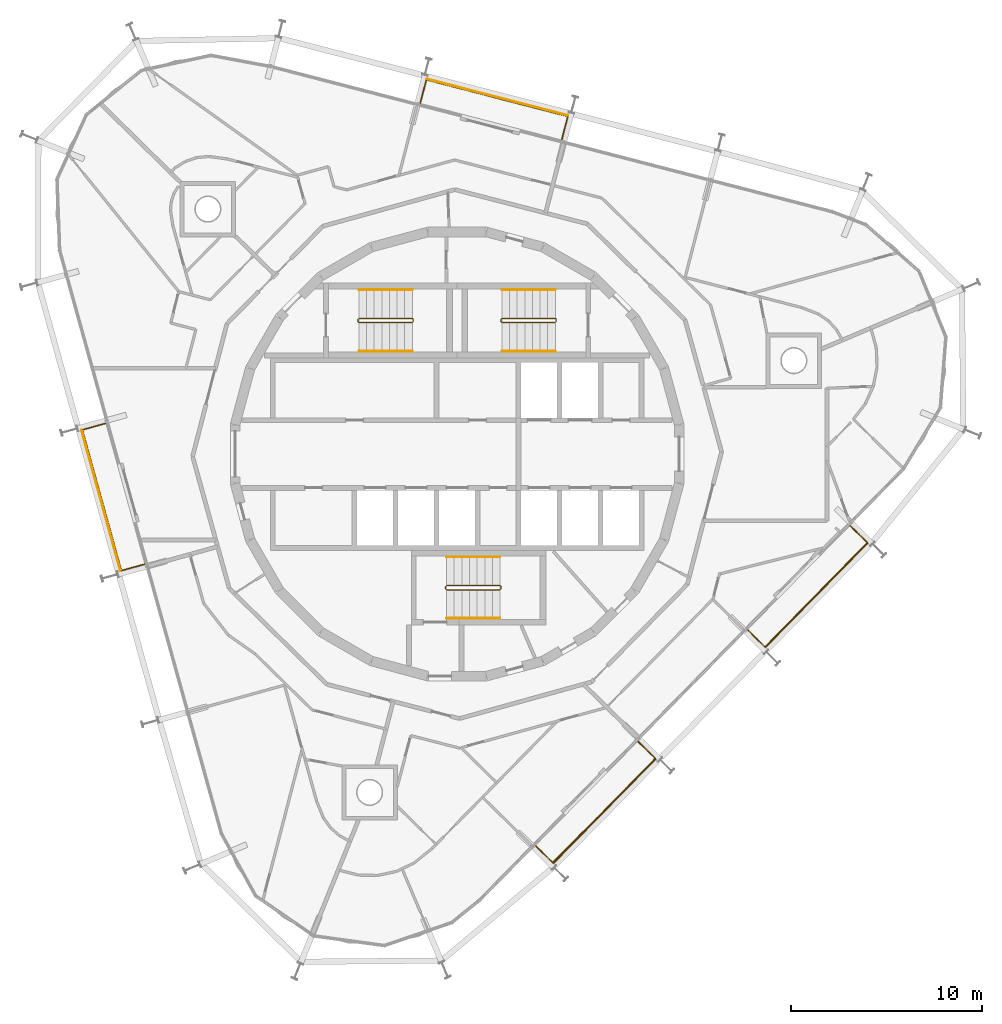
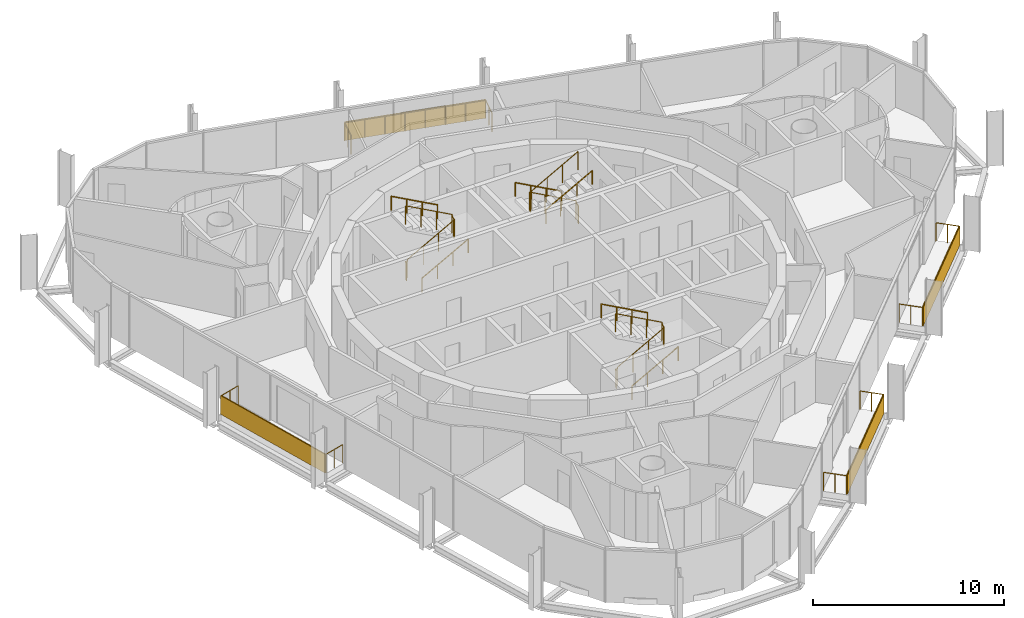
# One storey, part 15 of 15: 13 railings, 4 shading devices.
"""IFC4 building model written with IfcOpenShell, lengths in metres."""

from ifc_helpers import new_model, si_unit, direction, frame, origin, origin_2d, place, context, subcontext, project, spatial, rectangle, circle, extrude, material, layer, layer_set, type_object, element, save


model = new_model("IFC4")

# Units and contexts
model_context = context("Model", 3, precision=1e-05, world=origin(), true_north=direction((0.0, 1.0)))
body_context = subcontext(model_context, "Body", "Model", "MODEL_VIEW")
ifc_project = project(units=[si_unit("LENGTHUNIT", "METRE"), si_unit("AREAUNIT", "SQUARE_METRE"), si_unit("VOLUMEUNIT", "CUBIC_METRE"), si_unit("PLANEANGLEUNIT", "RADIAN"), si_unit("MASSUNIT", "GRAM", prefix="KILO")], contexts=[model_context])

# Site, building, storey
site_placement = place(None, origin())
site = spatial("IfcSite", under=ifc_project, at=site_placement, CompositionType="ELEMENT")
building_placement = place(site_placement, origin())
building = spatial("IfcBuilding", under=site, at=building_placement, Name="Spindle Arch Residences", CompositionType="ELEMENT")
storey_placement = place(building_placement, frame((0.0, 0.0, 305.199951171875)))
storey = spatial("IfcBuildingStorey", under=building, at=storey_placement, Name="L78", CompositionType="ELEMENT", Elevation=305.199951171875)

# Railings
ifc_material_1 = material(Name="Bronze anodised aluminium guard with glass infill", Category="aluminium")
railing_type_1 = type_object("IfcRailingType", Name="Balcony guard 1200", PredefinedType="GUARDRAIL", material=ifc_material_1)
railing_1_placement = place(storey_placement, frame((15.253662109375, -9.23779296875, 0.0)))
element("IfcRailing", 1, at=railing_1_placement, inside=storey, type_object=railing_type_1, Name="Guard L78 bay 1", PredefinedType="GUARDRAIL", context=body_context, shape_type="SweptSolid", body=[
    extrude(circle(Radius=0.02392578125, at=origin_2d()), frame((0.0, 0.0, 1.17578125), z_axis=(0.713231937859, -0.700928101034, 0.0), x_axis=(0.700928101034, 0.713231937859, 0.0)), (0.0, 0.0, 1.0), 1.25),
    extrude(circle(Radius=0.02392578125, at=origin_2d()), frame((0.8916015625, -0.876220703125, 1.17578125), z_axis=(0.700916720912, 0.713243121485, 0.0), x_axis=(-0.713243121485, 0.700916720912, 0.0)), (0.0, 0.0, 1.0), 7.6650390625),
    extrude(circle(Radius=0.02392578125, at=origin_2d()), frame((6.26416015625, 4.5908203125, 1.17578125), z_axis=(-0.713231937859, 0.700928101034, 0.0), x_axis=(-0.700928101034, -0.713231937859, 0.0)), (0.0, 0.0, 1.0), 1.25),
    extrude(circle(Radius=0.02099609375, at=origin_2d()), origin(), (0.0, 0.0, 1.0), 1.15185546875),
    extrude(circle(Radius=0.02099609375, at=origin_2d()), frame((0.44580078125, -0.43798828125, 0.0)), (0.0, 0.0, 1.0), 1.15185546875),
    extrude(circle(Radius=0.02099609375, at=origin_2d()), frame((0.8916015625, -0.876220703125, 0.0)), (0.0, 0.0, 1.0), 1.15185546875),
    extrude(circle(Radius=0.02099609375, at=origin_2d()), frame((1.6591796875, -0.09521484375, 0.0)), (0.0, 0.0, 1.0), 1.15185546875),
    extrude(circle(Radius=0.02099609375, at=origin_2d()), frame((2.426513671875, 0.685791015625, 0.0)), (0.0, 0.0, 1.0), 1.15185546875),
    extrude(circle(Radius=0.02099609375, at=origin_2d()), frame((3.194091796875, 1.466796875, 0.0)), (0.0, 0.0, 1.0), 1.15185546875),
    extrude(circle(Radius=0.02099609375, at=origin_2d()), frame((3.961669921875, 2.247802734375, 0.0)), (0.0, 0.0, 1.0), 1.15185546875),
    extrude(circle(Radius=0.02099609375, at=origin_2d()), frame((4.729248046875, 3.02880859375, 0.0)), (0.0, 0.0, 1.0), 1.15185546875),
    extrude(circle(Radius=0.02099609375, at=origin_2d()), frame((5.49658203125, 3.809814453125, 0.0)), (0.0, 0.0, 1.0), 1.15185546875),
    extrude(circle(Radius=0.02099609375, at=origin_2d()), frame((6.26416015625, 4.5908203125, 0.0)), (0.0, 0.0, 1.0), 1.15185546875),
    extrude(circle(Radius=0.02099609375, at=origin_2d()), frame((5.818359375, 5.02880859375, 0.0)), (0.0, 0.0, 1.0), 1.15185546875),
    extrude(circle(Radius=0.02099609375, at=origin_2d()), frame((5.37255859375, 5.467041015625, 0.0)), (0.0, 0.0, 1.0), 1.15185546875),
])
railing_2_placement = place(storey_placement, frame((5.494873046875, 16.50439453125, 0.0)))
element("IfcRailing", 2, at=railing_2_placement, inside=storey, type_object=railing_type_1, Name="Guard L78 bay 7", PredefinedType="GUARDRAIL", context=body_context, shape_type="SweptSolid", body=[
    extrude(circle(Radius=0.02392578125, at=origin_2d()), frame((0.0, 0.0, 1.17578125), z_axis=(0.250385978254, 0.968146095325, 0.0), x_axis=(-0.968146095325, 0.250385978254, 0.0)), (0.0, 0.0, 1.0), 1.25),
    extrude(circle(Radius=0.02392578125, at=origin_2d()), frame((0.31298828125, 1.210205078125, 1.17578125), z_axis=(-0.968147177851, 0.250381792508, 0.0), x_axis=(-0.250381792508, -0.968147177851, 0.0)), (0.0, 0.0, 1.0), 7.6650390625),
    extrude(circle(Radius=0.02392578125, at=origin_2d()), frame((-7.10791015625, 3.12939453125, 1.17578125), z_axis=(-0.250385978254, -0.968146095325, 0.0), x_axis=(0.968146095325, -0.250385978254, 0.0)), (0.0, 0.0, 1.0), 1.25),
    extrude(circle(Radius=0.02099609375, at=origin_2d()), origin(), (0.0, 0.0, 1.0), 1.15185546875),
    extrude(circle(Radius=0.02099609375, at=origin_2d()), frame((0.156494140625, 0.60498046875, 0.0)), (0.0, 0.0, 1.0), 1.15185546875),
    extrude(circle(Radius=0.02099609375, at=origin_2d()), frame((0.31298828125, 1.210205078125, 0.0)), (0.0, 0.0, 1.0), 1.15185546875),
    extrude(circle(Radius=0.02099609375, at=origin_2d()), frame((-0.7470703125, 1.484375, 0.0)), (0.0, 0.0, 1.0), 1.15185546875),
    extrude(circle(Radius=0.02099609375, at=origin_2d()), frame((-1.807373046875, 1.758544921875, 0.0)), (0.0, 0.0, 1.0), 1.15185546875),
    extrude(circle(Radius=0.02099609375, at=origin_2d()), frame((-2.867431640625, 2.03271484375, 0.0)), (0.0, 0.0, 1.0), 1.15185546875),
    extrude(circle(Radius=0.02099609375, at=origin_2d()), frame((-3.927490234375, 2.306884765625, 0.0)), (0.0, 0.0, 1.0), 1.15185546875),
    extrude(circle(Radius=0.02099609375, at=origin_2d()), frame((-4.987548828125, 2.5810546875, 0.0)), (0.0, 0.0, 1.0), 1.15185546875),
    extrude(circle(Radius=0.02099609375, at=origin_2d()), frame((-6.0478515625, 2.855224609375, 0.0)), (0.0, 0.0, 1.0), 1.15185546875),
    extrude(circle(Radius=0.02099609375, at=origin_2d()), frame((-7.10791015625, 3.12939453125, 0.0)), (0.0, 0.0, 1.0), 1.15185546875),
    extrude(circle(Radius=0.02099609375, at=origin_2d()), frame((-7.264404296875, 2.5244140625, 0.0)), (0.0, 0.0, 1.0), 1.15185546875),
    extrude(circle(Radius=0.02099609375, at=origin_2d()), frame((-7.4208984375, 1.919189453125, 0.0)), (0.0, 0.0, 1.0), 1.15185546875),
])
railing_3_placement = place(storey_placement, frame((-18.45458984375, 1.604248046875, 0.0)))
element("IfcRailing", 3, at=railing_3_placement, inside=storey, type_object=railing_type_1, Name="Guard L78 bay 13", PredefinedType="GUARDRAIL", context=body_context, shape_type="SweptSolid", body=[
    extrude(circle(Radius=0.02392578125, at=origin_2d()), frame((0.0, 0.0, 1.17578125), z_axis=(-0.963582246814, -0.267412141879, 0.0), x_axis=(0.267412141879, -0.963582246814, 0.0)), (0.0, 0.0, 1.0), 1.249755859375),
    extrude(circle(Radius=0.02392578125, at=origin_2d()), frame((-1.204345703125, -0.334228515625, 1.17578125), z_axis=(0.267233148219, -0.963631903007, 0.0), x_axis=(0.963631903007, 0.267233148219, 0.0)), (0.0, 0.0, 1.0), 7.6650390625),
    extrude(circle(Radius=0.02392578125, at=origin_2d()), frame((0.843994140625, -7.720458984375, 1.17578125), z_axis=(0.963646510798, 0.267180467526, 0.0), x_axis=(-0.267180467526, 0.963646510798, 0.0)), (0.0, 0.0, 1.0), 1.25),
    extrude(circle(Radius=0.02099609375, at=origin_2d()), origin(), (0.0, 0.0, 1.0), 1.15185546875),
    extrude(circle(Radius=0.02099609375, at=origin_2d()), frame((-0.60205078125, -0.1669921875, 0.0)), (0.0, 0.0, 1.0), 1.15185546875),
    extrude(circle(Radius=0.02099609375, at=origin_2d()), frame((-1.204345703125, -0.334228515625, 0.0)), (0.0, 0.0, 1.0), 1.15185546875),
    extrude(circle(Radius=0.02099609375, at=origin_2d()), frame((-0.91162109375, -1.389404296875, 0.0)), (0.0, 0.0, 1.0), 1.15185546875),
    extrude(circle(Radius=0.02099609375, at=origin_2d()), frame((-0.619140625, -2.444580078125, 0.0)), (0.0, 0.0, 1.0), 1.15185546875),
    extrude(circle(Radius=0.02099609375, at=origin_2d()), frame((-0.326416015625, -3.499755859375, 0.0)), (0.0, 0.0, 1.0), 1.15185546875),
    extrude(circle(Radius=0.02099609375, at=origin_2d()), frame((-0.033935546875, -4.554931640625, 0.0)), (0.0, 0.0, 1.0), 1.15185546875),
    extrude(circle(Radius=0.02099609375, at=origin_2d()), frame((0.2587890625, -5.610107421875, 0.0)), (0.0, 0.0, 1.0), 1.15185546875),
    extrude(circle(Radius=0.02099609375, at=origin_2d()), frame((0.55126953125, -6.665283203125, 0.0)), (0.0, 0.0, 1.0), 1.15185546875),
    extrude(circle(Radius=0.02099609375, at=origin_2d()), frame((0.843994140625, -7.720458984375, 0.0)), (0.0, 0.0, 1.0), 1.15185546875),
    extrude(circle(Radius=0.02099609375, at=origin_2d()), frame((1.4462890625, -7.553466796875, 0.0)), (0.0, 0.0, 1.0), 1.15185546875),
    extrude(circle(Radius=0.02099609375, at=origin_2d()), frame((2.048583984375, -7.386474609375, 0.0)), (0.0, 0.0, 1.0), 1.15185546875),
])
railing_4_placement = place(storey_placement, frame((4.130126953125, -20.557373046875, 0.0)))
element("IfcRailing", 4, at=railing_4_placement, inside=storey, type_object=railing_type_1, Name="Guard L78 bay 19", PredefinedType="GUARDRAIL", context=body_context, shape_type="SweptSolid", body=[
    extrude(circle(Radius=0.02392578125, at=origin_2d()), frame((0.0, 0.0, 1.17578125), z_axis=(0.71332957902, -0.700828732071, 0.0), x_axis=(0.700828732071, 0.71332957902, 0.0)), (0.0, 0.0, 1.0), 1.25),
    extrude(circle(Radius=0.02392578125, at=origin_2d()), frame((0.8916015625, -0.8759765625, 1.17578125), z_axis=(0.700916720912, 0.713243121485, 0.0), x_axis=(-0.713243121485, 0.700916720912, 0.0)), (0.0, 0.0, 1.0), 7.6650390625),
    extrude(circle(Radius=0.02392578125, at=origin_2d()), frame((6.26416015625, 4.591064453125, 1.17578125), z_axis=(-0.713231937859, 0.700928101034, 0.0), x_axis=(-0.700928101034, -0.713231937859, 0.0)), (0.0, 0.0, 1.0), 1.25),
    extrude(circle(Radius=0.02099609375, at=origin_2d()), origin(), (0.0, 0.0, 1.0), 1.15185546875),
    extrude(circle(Radius=0.02099609375, at=origin_2d()), frame((0.44580078125, -0.43798828125, 0.0)), (0.0, 0.0, 1.0), 1.15185546875),
    extrude(circle(Radius=0.02099609375, at=origin_2d()), frame((0.8916015625, -0.8759765625, 0.0)), (0.0, 0.0, 1.0), 1.15185546875),
    extrude(circle(Radius=0.02099609375, at=origin_2d()), frame((1.6591796875, -0.094970703125, 0.0)), (0.0, 0.0, 1.0), 1.15185546875),
    extrude(circle(Radius=0.02099609375, at=origin_2d()), frame((2.426513671875, 0.68603515625, 0.0)), (0.0, 0.0, 1.0), 1.15185546875),
    extrude(circle(Radius=0.02099609375, at=origin_2d()), frame((3.194091796875, 1.467041015625, 0.0)), (0.0, 0.0, 1.0), 1.15185546875),
    extrude(circle(Radius=0.02099609375, at=origin_2d()), frame((3.961669921875, 2.248046875, 0.0)), (0.0, 0.0, 1.0), 1.15185546875),
    extrude(circle(Radius=0.02099609375, at=origin_2d()), frame((4.729248046875, 3.029052734375, 0.0)), (0.0, 0.0, 1.0), 1.15185546875),
    extrude(circle(Radius=0.02099609375, at=origin_2d()), frame((5.49658203125, 3.81005859375, 0.0)), (0.0, 0.0, 1.0), 1.15185546875),
    extrude(circle(Radius=0.02099609375, at=origin_2d()), frame((6.26416015625, 4.591064453125, 0.0)), (0.0, 0.0, 1.0), 1.15185546875),
    extrude(circle(Radius=0.02099609375, at=origin_2d()), frame((5.818359375, 5.029296875, 0.0)), (0.0, 0.0, 1.0), 1.15185546875),
    extrude(circle(Radius=0.02099609375, at=origin_2d()), frame((5.37255859375, 5.46728515625, 0.0)), (0.0, 0.0, 1.0), 1.15185546875),
])

# Shading devices
ifc_material_2 = material(Name="Bronze perforated cobogo screen")
ifc_layer = layer(ifc_material_2, 0.0390625)
ifc_layer_set = layer_set([ifc_layer], Name="Cobogo screen 1200")
shading_device_type = type_object("IfcShadingDeviceType", Name="Cobogo screen 1200", PredefinedType="USERDEFINED", material=ifc_layer_set)
for number, where, z_axis, x_axis, name in (
    (5, (18.8603515625, -7.408935546875, 0.0), (0.0, 0.0, 1.0), (0.7009092643, 0.713250449154, 0.0), "Cobogo screen L78 bay 1"),
    (6, (2.107666015625, 18.71337890625, 0.0), (0.0, 0.0, 1.0), (-0.968147640378, 0.250380004054, 0.0), "Cobogo screen L78 bay 7"),
    (7, (-18.673828125, -2.433837890625, 0.0), (0.0, 0.0, 1.0), (0.267238376078, -0.963630453209, 0.0), "Cobogo screen L78 bay 13"),
    (8, (7.73681640625, -18.728271484375, 0.0), (0.0, 0.0, 1.0), (0.7009092643, 0.713250449154, 0.0), "Cobogo screen L78 bay 19"),
):
    element("IfcShadingDevice", number, at=place(storey_placement, frame(where, z_axis=z_axis, x_axis=x_axis)), inside=storey, type_object=shading_device_type, Name=name, ObjectType="SCREEN", PredefinedType="USERDEFINED", context=body_context, shape_type="SweptSolid", body=[
        extrude(rectangle(XDim=7.6650390625, YDim=0.0390625, at=origin_2d()), origin(), (0.0, 0.0, 1.0), 1.199951171875),
    ])

# Railings
ifc_material_3 = material(Name="Steel, painted", Category="steel")
railing_type_2 = type_object("IfcRailingType", Name="Stair guard 1100", PredefinedType="GUARDRAIL", material=ifc_material_3)
railing_5_placement = place(storey_placement, frame((5.14990234375, 6.89990234375, 3.5)))
element("IfcRailing", 9, at=railing_5_placement, inside=storey, type_object=railing_type_2, Name="L78 ST1 stair guard 1", PredefinedType="GUARDRAIL", context=body_context, shape_type="SweptSolid", body=[
    extrude(circle(Radius=0.02392578125, at=origin_2d()), frame((0.0, 0.0, 1.17578125), z_axis=(-0.877357048833, 0.0, -0.479838106931), x_axis=(0.0, -1.0, 0.0)), (0.0, 0.0, 1.0), 3.191162109375),
    extrude(circle(Radius=0.02392578125, at=origin_2d()), frame((-2.7998046875, 0.0, -0.35546875), z_axis=(-0.217683172539, 0.217683172539, -0.951434744366), x_axis=(-0.707106781187, -0.707106781187, 0.0)), (0.0, 0.0, 1.0), 0.22998046875),
    extrude(circle(Radius=0.02392578125, at=origin_2d()), frame((-2.849853515625, 0.050048828125, -0.57421875), z_axis=(0.0, 1.0, 0.0), x_axis=(-1.0, 0.0, 0.0)), (0.0, 0.0, 1.0), 0.1201171875),
    extrude(circle(Radius=0.02392578125, at=origin_2d()), frame((-2.849853515625, 0.170166015625, -0.57421875), z_axis=(0.707106781187, 0.707106781187, 0.0), x_axis=(-0.707106781187, 0.707106781187, 0.0)), (0.0, 0.0, 1.0), 0.07080078125),
    extrude(circle(Radius=0.02392578125, at=origin_2d()), frame((-2.7998046875, 0.22021484375, -0.57421875), z_axis=(0.877357048833, 0.0, -0.479838106931), x_axis=(0.0, 1.0, 0.0)), (0.0, 0.0, 1.0), 3.191162109375),
    extrude(circle(Radius=0.02392578125, at=origin_2d()), frame((0.0, 0.22021484375, -2.10546875), z_axis=(0.217683172539, -0.217683172539, -0.951434744366), x_axis=(0.707106781187, 0.707106781187, 0.0)), (0.0, 0.0, 1.0), 0.22998046875),
    extrude(circle(Radius=0.02392578125, at=origin_2d()), frame((0.050048828125, 0.170166015625, -2.32421875), z_axis=(0.0, -1.0, 0.0), x_axis=(1.0, 0.0, 0.0)), (0.0, 0.0, 1.0), 0.1201171875),
    extrude(circle(Radius=0.02099609375, at=origin_2d()), origin(), (0.0, 0.0, 1.0), 1.15185546875),
    extrude(circle(Radius=0.02099609375, at=origin_2d()), frame((-0.933349609375, 0.0, -0.510498046875)), (0.0, 0.0, 1.0), 1.15185546875),
    extrude(circle(Radius=0.02099609375, at=origin_2d()), frame((-1.866455078125, 0.0, -1.020751953125)), (0.0, 0.0, 1.0), 1.15185546875),
    extrude(circle(Radius=0.02099609375, at=origin_2d()), frame((-2.7998046875, 0.0, -1.53125)), (0.0, 0.0, 1.0), 1.15185546875),
    extrude(circle(Radius=0.02099609375, at=origin_2d()), frame((-2.849853515625, 0.050048828125, -1.75)), (0.0, 0.0, 1.0), 1.15185546875),
    extrude(circle(Radius=0.02099609375, at=origin_2d()), frame((-2.849853515625, 0.170166015625, -1.75)), (0.0, 0.0, 1.0), 1.15185546875),
    extrude(circle(Radius=0.02099609375, at=origin_2d()), frame((-2.7998046875, 0.22021484375, -1.75)), (0.0, 0.0, 1.0), 1.15185546875),
    extrude(circle(Radius=0.02099609375, at=origin_2d()), frame((-1.866455078125, 0.22021484375, -2.260498046875)), (0.0, 0.0, 1.0), 1.15185546875),
    extrude(circle(Radius=0.02099609375, at=origin_2d()), frame((-0.933349609375, 0.22021484375, -2.770751953125)), (0.0, 0.0, 1.0), 1.15185546875),
    extrude(circle(Radius=0.02099609375, at=origin_2d()), frame((0.0, 0.22021484375, -3.28125)), (0.0, 0.0, 1.0), 1.15185546875),
    extrude(circle(Radius=0.02099609375, at=origin_2d()), frame((0.050048828125, 0.170166015625, -3.5)), (0.0, 0.0, 1.0), 1.15185546875),
    extrude(circle(Radius=0.02099609375, at=origin_2d()), frame((0.050048828125, 0.050048828125, -3.5)), (0.0, 0.0, 1.0), 1.15185546875),
])
railing_6_placement = place(storey_placement, frame((-5.14990234375, 7.1201171875, 3.5)))
element("IfcRailing", 10, at=railing_6_placement, inside=storey, type_object=railing_type_2, Name="L78 ST2 stair guard 1", PredefinedType="GUARDRAIL", context=body_context, shape_type="SweptSolid", body=[
    extrude(circle(Radius=0.02392578125, at=origin_2d()), frame((0.0, 0.0, 1.17578125), z_axis=(0.877357048833, 0.0, -0.479838106931), x_axis=(0.0, 1.0, 0.0)), (0.0, 0.0, 1.0), 3.191162109375),
    extrude(circle(Radius=0.02392578125, at=origin_2d()), frame((2.7998046875, 0.0, -0.35546875), z_axis=(0.217683172539, -0.217683172539, -0.951434744366), x_axis=(0.707106781187, 0.707106781187, 0.0)), (0.0, 0.0, 1.0), 0.22998046875),
    extrude(circle(Radius=0.02392578125, at=origin_2d()), frame((2.849853515625, -0.050048828125, -0.57421875), z_axis=(0.0, -1.0, 0.0), x_axis=(1.0, 0.0, 0.0)), (0.0, 0.0, 1.0), 0.1201171875),
    extrude(circle(Radius=0.02392578125, at=origin_2d()), frame((2.849853515625, -0.170166015625, -0.57421875), z_axis=(-0.707106781187, -0.707106781187, 0.0), x_axis=(0.707106781187, -0.707106781187, 0.0)), (0.0, 0.0, 1.0), 0.07080078125),
    extrude(circle(Radius=0.02392578125, at=origin_2d()), frame((2.7998046875, -0.22021484375, -0.57421875), z_axis=(-0.877357048833, 0.0, -0.479838106931), x_axis=(0.0, -1.0, 0.0)), (0.0, 0.0, 1.0), 3.191162109375),
    extrude(circle(Radius=0.02392578125, at=origin_2d()), frame((0.0, -0.22021484375, -2.10546875), z_axis=(-0.217683172539, 0.217683172539, -0.951434744366), x_axis=(-0.707106781187, -0.707106781187, 0.0)), (0.0, 0.0, 1.0), 0.22998046875),
    extrude(circle(Radius=0.02392578125, at=origin_2d()), frame((-0.050048828125, -0.170166015625, -2.32421875), z_axis=(0.0, 1.0, 0.0), x_axis=(-1.0, 0.0, 0.0)), (0.0, 0.0, 1.0), 0.1201171875),
    extrude(circle(Radius=0.02099609375, at=origin_2d()), origin(), (0.0, 0.0, 1.0), 1.15185546875),
    extrude(circle(Radius=0.02099609375, at=origin_2d()), frame((0.933349609375, 0.0, -0.510498046875)), (0.0, 0.0, 1.0), 1.15185546875),
    extrude(circle(Radius=0.02099609375, at=origin_2d()), frame((1.866455078125, 0.0, -1.020751953125)), (0.0, 0.0, 1.0), 1.15185546875),
    extrude(circle(Radius=0.02099609375, at=origin_2d()), frame((2.7998046875, 0.0, -1.53125)), (0.0, 0.0, 1.0), 1.15185546875),
    extrude(circle(Radius=0.02099609375, at=origin_2d()), frame((2.849853515625, -0.050048828125, -1.75)), (0.0, 0.0, 1.0), 1.15185546875),
    extrude(circle(Radius=0.02099609375, at=origin_2d()), frame((2.849853515625, -0.170166015625, -1.75)), (0.0, 0.0, 1.0), 1.15185546875),
    extrude(circle(Radius=0.02099609375, at=origin_2d()), frame((2.7998046875, -0.22021484375, -1.75)), (0.0, 0.0, 1.0), 1.15185546875),
    extrude(circle(Radius=0.02099609375, at=origin_2d()), frame((1.866455078125, -0.22021484375, -2.260498046875)), (0.0, 0.0, 1.0), 1.15185546875),
    extrude(circle(Radius=0.02099609375, at=origin_2d()), frame((0.933349609375, -0.22021484375, -2.770751953125)), (0.0, 0.0, 1.0), 1.15185546875),
    extrude(circle(Radius=0.02099609375, at=origin_2d()), frame((0.0, -0.22021484375, -3.28125)), (0.0, 0.0, 1.0), 1.15185546875),
    extrude(circle(Radius=0.02099609375, at=origin_2d()), frame((-0.050048828125, -0.170166015625, -3.5)), (0.0, 0.0, 1.0), 1.15185546875),
    extrude(circle(Radius=0.02099609375, at=origin_2d()), frame((-0.050048828125, -0.050048828125, -3.5)), (0.0, 0.0, 1.0), 1.15185546875),
])
railing_7_placement = place(storey_placement, frame((-0.550048828125, -6.89990234375, 3.5)))
element("IfcRailing", 11, at=railing_7_placement, inside=storey, type_object=railing_type_2, Name="L78 ST3 stair guard 1", PredefinedType="GUARDRAIL", context=body_context, shape_type="SweptSolid", body=[
    extrude(circle(Radius=0.02392578125, at=origin_2d()), frame((0.0, 0.0, 1.17578125), z_axis=(0.877374661878, 0.0, -0.479805901063), x_axis=(0.0, 1.0, 0.0)), (0.0, 0.0, 1.0), 3.19140625),
    extrude(circle(Radius=0.02392578125, at=origin_2d()), frame((2.800048828125, 0.0, -0.35546875), z_axis=(0.217683172539, -0.217683172539, -0.951434744366), x_axis=(0.707106781187, 0.707106781187, 0.0)), (0.0, 0.0, 1.0), 0.22998046875),
    extrude(circle(Radius=0.02392578125, at=origin_2d()), frame((2.85009765625, -0.050048828125, -0.57421875), z_axis=(0.0, -1.0, 0.0), x_axis=(1.0, 0.0, 0.0)), (0.0, 0.0, 1.0), 0.1201171875),
    extrude(circle(Radius=0.02392578125, at=origin_2d()), frame((2.85009765625, -0.170166015625, -0.57421875), z_axis=(-0.707106781187, -0.707106781187, 0.0), x_axis=(0.707106781187, -0.707106781187, 0.0)), (0.0, 0.0, 1.0), 0.07080078125),
    extrude(circle(Radius=0.02392578125, at=origin_2d()), frame((2.800048828125, -0.22021484375, -0.57421875), z_axis=(-0.877374661878, 0.0, -0.479805901063), x_axis=(0.0, -1.0, 0.0)), (0.0, 0.0, 1.0), 3.19140625),
    extrude(circle(Radius=0.02392578125, at=origin_2d()), frame((0.0, -0.22021484375, -2.10546875), z_axis=(-0.217683172539, 0.217683172539, -0.951434744366), x_axis=(-0.707106781187, -0.707106781187, 0.0)), (0.0, 0.0, 1.0), 0.22998046875),
    extrude(circle(Radius=0.02392578125, at=origin_2d()), frame((-0.050048828125, -0.170166015625, -2.32421875), z_axis=(0.0, 1.0, 0.0), x_axis=(-1.0, 0.0, 0.0)), (0.0, 0.0, 1.0), 0.1201171875),
    extrude(circle(Radius=0.02099609375, at=origin_2d()), origin(), (0.0, 0.0, 1.0), 1.15185546875),
    extrude(circle(Radius=0.02099609375, at=origin_2d()), frame((0.933349609375, 0.0, -0.510498046875)), (0.0, 0.0, 1.0), 1.15185546875),
    extrude(circle(Radius=0.02099609375, at=origin_2d()), frame((1.86669921875, 0.0, -1.020751953125)), (0.0, 0.0, 1.0), 1.15185546875),
    extrude(circle(Radius=0.02099609375, at=origin_2d()), frame((2.800048828125, 0.0, -1.53125)), (0.0, 0.0, 1.0), 1.15185546875),
    extrude(circle(Radius=0.02099609375, at=origin_2d()), frame((2.85009765625, -0.050048828125, -1.75)), (0.0, 0.0, 1.0), 1.15185546875),
    extrude(circle(Radius=0.02099609375, at=origin_2d()), frame((2.85009765625, -0.170166015625, -1.75)), (0.0, 0.0, 1.0), 1.15185546875),
    extrude(circle(Radius=0.02099609375, at=origin_2d()), frame((2.800048828125, -0.22021484375, -1.75)), (0.0, 0.0, 1.0), 1.15185546875),
    extrude(circle(Radius=0.02099609375, at=origin_2d()), frame((1.86669921875, -0.22021484375, -2.260498046875)), (0.0, 0.0, 1.0), 1.15185546875),
    extrude(circle(Radius=0.02099609375, at=origin_2d()), frame((0.933349609375, -0.22021484375, -2.770751953125)), (0.0, 0.0, 1.0), 1.15185546875),
    extrude(circle(Radius=0.02099609375, at=origin_2d()), frame((0.0, -0.22021484375, -3.28125)), (0.0, 0.0, 1.0), 1.15185546875),
    extrude(circle(Radius=0.02099609375, at=origin_2d()), frame((-0.050048828125, -0.170166015625, -3.5)), (0.0, 0.0, 1.0), 1.15185546875),
    extrude(circle(Radius=0.02099609375, at=origin_2d()), frame((-0.050048828125, -0.050048828125, -3.5)), (0.0, 0.0, 1.0), 1.15185546875),
])
ifc_material_4 = material(Name="Steel, painted", Category="steel")
railing_type_3 = type_object("IfcRailingType", Name="Stair handrail 900", PredefinedType="HANDRAIL", material=ifc_material_4)
railing_8_placement = place(storey_placement, frame((5.14990234375, 8.6201171875, 0.21875)))
element("IfcRailing", 12, at=railing_8_placement, inside=storey, type_object=railing_type_3, Name="L78 ST1 stair handrail 1", PredefinedType="HANDRAIL", context=body_context, shape_type="SweptSolid", body=[
    extrude(circle(Radius=0.02392578125, at=origin_2d()), frame((0.0, 0.0, 0.8759765625), z_axis=(-0.877357048833, 0.0, 0.479838106931), x_axis=(0.0, -1.0, 0.0)), (0.0, 0.0, 1.0), 3.191162109375),
    extrude(circle(Radius=0.02099609375, at=origin_2d()), origin(), (0.0, 0.0, 1.0), 0.851806640625),
    extrude(circle(Radius=0.02099609375, at=origin_2d()), frame((-0.933349609375, 0.0, 0.510498046875)), (0.0, 0.0, 1.0), 0.851806640625),
    extrude(circle(Radius=0.02099609375, at=origin_2d()), frame((-1.866455078125, 0.0, 1.020751953125)), (0.0, 0.0, 1.0), 0.851806640625),
    extrude(circle(Radius=0.02099609375, at=origin_2d()), frame((-2.7998046875, 0.0, 1.53125)), (0.0, 0.0, 1.0), 0.851806640625),
])
for number, where, name in (
    (13, (2.35009765625, 5.39990234375, 1.96875), "L78 ST1 stair handrail 2"),
    (14, (-5.14990234375, 5.39990234375, 0.21875), "L78 ST2 stair handrail 1"),
):
    element("IfcRailing", number, at=place(storey_placement, frame(where)), inside=storey, type_object=railing_type_3, Name=name, PredefinedType="HANDRAIL", context=body_context, shape_type="SweptSolid", body=[
        extrude(circle(Radius=0.02392578125, at=origin_2d()), frame((0.0, 0.0, 0.8759765625), z_axis=(0.877357048833, 0.0, 0.479838106931), x_axis=(0.0, 1.0, 0.0)), (0.0, 0.0, 1.0), 3.191162109375),
        extrude(circle(Radius=0.02099609375, at=origin_2d()), origin(), (0.0, 0.0, 1.0), 0.851806640625),
        extrude(circle(Radius=0.02099609375, at=origin_2d()), frame((0.933349609375, 0.0, 0.510498046875)), (0.0, 0.0, 1.0), 0.851806640625),
        extrude(circle(Radius=0.02099609375, at=origin_2d()), frame((1.866455078125, 0.0, 1.020751953125)), (0.0, 0.0, 1.0), 0.851806640625),
        extrude(circle(Radius=0.02099609375, at=origin_2d()), frame((2.7998046875, 0.0, 1.53125)), (0.0, 0.0, 1.0), 0.851806640625),
    ])
railing_9_placement = place(storey_placement, frame((-2.35009765625, 8.6201171875, 1.96875)))
element("IfcRailing", 15, at=railing_9_placement, inside=storey, type_object=railing_type_3, Name="L78 ST2 stair handrail 2", PredefinedType="HANDRAIL", context=body_context, shape_type="SweptSolid", body=[
    extrude(circle(Radius=0.02392578125, at=origin_2d()), frame((0.0, 0.0, 0.8759765625), z_axis=(-0.877357048833, 0.0, 0.479838106931), x_axis=(0.0, -1.0, 0.0)), (0.0, 0.0, 1.0), 3.191162109375),
    extrude(circle(Radius=0.02099609375, at=origin_2d()), origin(), (0.0, 0.0, 1.0), 0.851806640625),
    extrude(circle(Radius=0.02099609375, at=origin_2d()), frame((-0.933349609375, 0.0, 0.510498046875)), (0.0, 0.0, 1.0), 0.851806640625),
    extrude(circle(Radius=0.02099609375, at=origin_2d()), frame((-1.866455078125, 0.0, 1.020751953125)), (0.0, 0.0, 1.0), 0.851806640625),
    extrude(circle(Radius=0.02099609375, at=origin_2d()), frame((-2.7998046875, 0.0, 1.53125)), (0.0, 0.0, 1.0), 0.851806640625),
])
railing_10_placement = place(storey_placement, frame((-0.550048828125, -8.6201171875, 0.21875)))
element("IfcRailing", 16, at=railing_10_placement, inside=storey, type_object=railing_type_3, Name="L78 ST3 stair handrail 1", PredefinedType="HANDRAIL", context=body_context, shape_type="SweptSolid", body=[
    extrude(circle(Radius=0.02392578125, at=origin_2d()), frame((0.0, 0.0, 0.8759765625), z_axis=(0.877374661878, 0.0, 0.479805901063), x_axis=(0.0, 1.0, 0.0)), (0.0, 0.0, 1.0), 3.19140625),
    extrude(circle(Radius=0.02099609375, at=origin_2d()), origin(), (0.0, 0.0, 1.0), 0.851806640625),
    extrude(circle(Radius=0.02099609375, at=origin_2d()), frame((0.933349609375, 0.0, 0.510498046875)), (0.0, 0.0, 1.0), 0.851806640625),
    extrude(circle(Radius=0.02099609375, at=origin_2d()), frame((1.86669921875, 0.0, 1.020751953125)), (0.0, 0.0, 1.0), 0.851806640625),
    extrude(circle(Radius=0.02099609375, at=origin_2d()), frame((2.800048828125, 0.0, 1.53125)), (0.0, 0.0, 1.0), 0.851806640625),
])
railing_11_placement = place(storey_placement, frame((2.25, -5.39990234375, 1.96875)))
element("IfcRailing", 17, at=railing_11_placement, inside=storey, type_object=railing_type_3, Name="L78 ST3 stair handrail 2", PredefinedType="HANDRAIL", context=body_context, shape_type="SweptSolid", body=[
    extrude(circle(Radius=0.02392578125, at=origin_2d()), frame((0.0, 0.0, 0.8759765625), z_axis=(-0.877374661878, 0.0, 0.479805901063), x_axis=(0.0, -1.0, 0.0)), (0.0, 0.0, 1.0), 3.19140625),
    extrude(circle(Radius=0.02099609375, at=origin_2d()), origin(), (0.0, 0.0, 1.0), 0.851806640625),
    extrude(circle(Radius=0.02099609375, at=origin_2d()), frame((-0.933349609375, 0.0, 0.510498046875)), (0.0, 0.0, 1.0), 0.851806640625),
    extrude(circle(Radius=0.02099609375, at=origin_2d()), frame((-1.86669921875, 0.0, 1.020751953125)), (0.0, 0.0, 1.0), 0.851806640625),
    extrude(circle(Radius=0.02099609375, at=origin_2d()), frame((-2.800048828125, 0.0, 1.53125)), (0.0, 0.0, 1.0), 0.851806640625),
])

save(model, "model.ifc")
